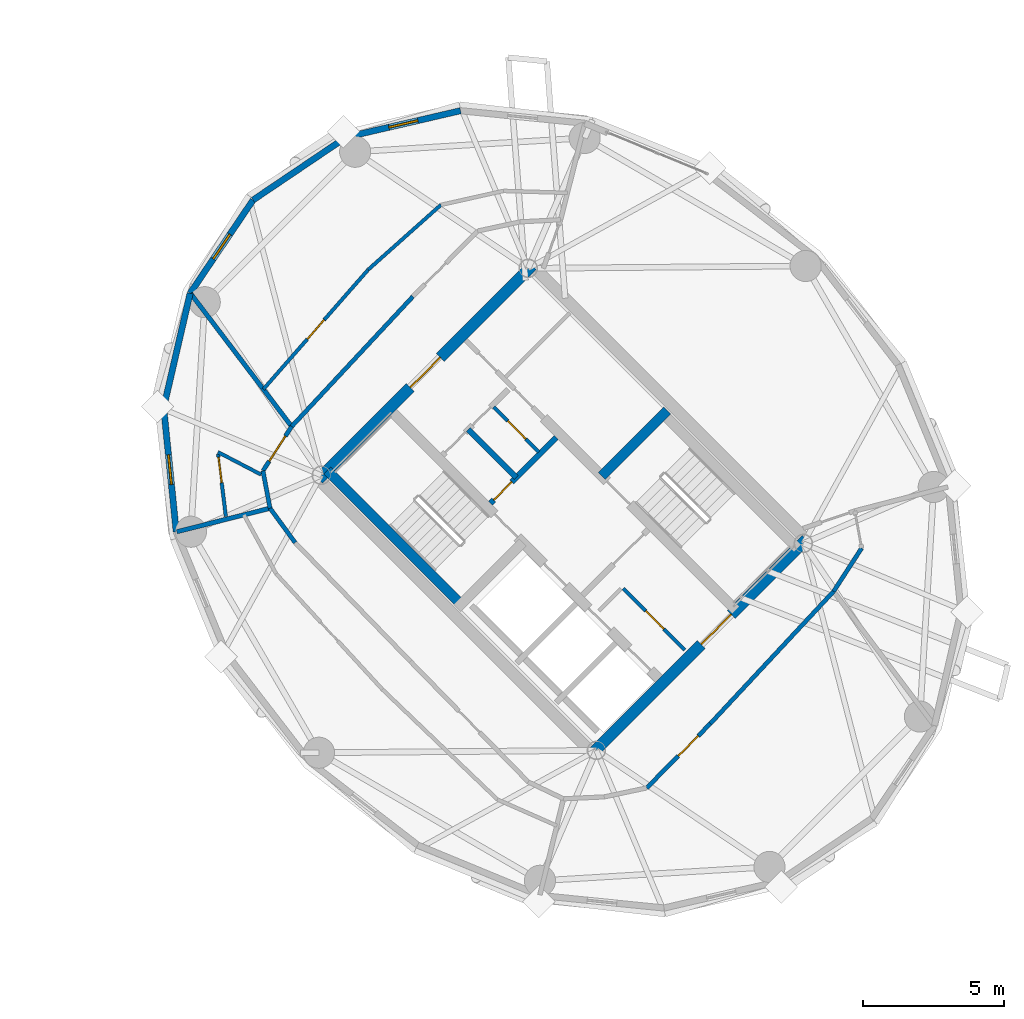
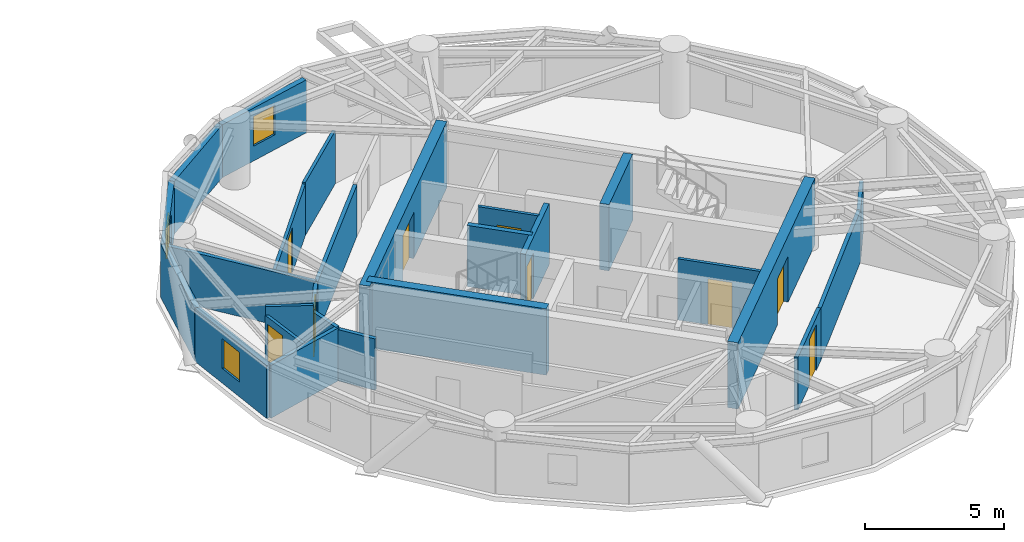
# One storey, part 12 of 16: 26 walls, 9 doors, 3 windows, 12 openings.
"""IFC4 building model written with IfcOpenShell, lengths in metres."""

from ifc_helpers import new_model, si_unit, direction, frame, frame_2d, origin, place, context, subcontext, project, spatial, rectangle, extrude, source, transform, mapped, material, layer, layer_set, type_object, element, fill, save


model = new_model("IFC4")

# Units and contexts
model_context = context("Model", 3, precision=1e-05, world=origin(), true_north=direction((0.0, 1.0)))
body_context = subcontext(model_context, "Body", "Model", "MODEL_VIEW")
ifc_project = project(units=[si_unit("LENGTHUNIT", "METRE"), si_unit("AREAUNIT", "SQUARE_METRE"), si_unit("VOLUMEUNIT", "CUBIC_METRE"), si_unit("PLANEANGLEUNIT", "RADIAN"), si_unit("MASSUNIT", "GRAM", prefix="KILO")], contexts=[model_context])

# Site, building, storey
site_placement = place(None, origin())
site = spatial("IfcSite", under=ifc_project, at=site_placement, CompositionType="ELEMENT")
building_placement = place(site_placement, origin())
building = spatial("IfcBuilding", under=site, at=building_placement, Name="Cununo Teusaquillo Station Towers", CompositionType="ELEMENT")
storey_placement = place(building_placement, frame((0.0, 0.0, 219.93994140625)))
storey = spatial("IfcBuildingStorey", under=building, at=storey_placement, Name="L70", CompositionType="ELEMENT", Elevation=219.93994140625)

# Walls
ifc_material_1 = material(Name="Concrete C50/60", Category="concrete")
ifc_layer_1 = layer(ifc_material_1, 0.35009765625)
ifc_layer_set_1 = layer_set([ifc_layer_1], Name="Concrete C50/60")
wall_type_1 = type_object("IfcWallType", Name="WL-CORE-350", PredefinedType="SHEAR", material=ifc_layer_set_1)
wall_1_placement = place(storey_placement, frame((53.922119140625, 21.14111328125, 0.0), z_axis=(0.0, 0.0, 1.0), x_axis=(-0.707106781187, 0.707106781187, 0.0)))
element("IfcWall", 1, at=wall_1_placement, inside=storey, type_object=wall_type_1, Name="L70 Tower B Core Shear Wall ST1W", PredefinedType="SHEAR", context=body_context, shape_type="SweptSolid", body=[
    extrude(rectangle(XDim=6.695068359375, YDim=0.35009765625, at=frame_2d((3.34765625, 0.0))), origin(), (0.0, 0.0, 1.0), 2.91015625),
])
wall_2_placement = place(storey_placement, frame((58.89306640625, 25.673828125, 0.0), z_axis=(0.0, 0.0, 1.0), x_axis=(0.707106781187, 0.707106781187, 0.0)))
element("IfcWall", 2, at=wall_2_placement, inside=storey, type_object=wall_type_1, Name="L70 Tower B Core Shear Wall ST2N", PredefinedType="SHEAR", context=body_context, shape_type="SweptSolid", body=[
    extrude(rectangle(XDim=3.284912109375, YDim=0.35009765625, at=frame_2d((1.642578125, 0.0))), origin(), (0.0, 0.0, 1.0), 2.91015625),
])

# Wall, opening, door
ifc_material_2 = material(Name="Concrete C50/60", Category="concrete")
ifc_layer_2 = layer(ifc_material_2, 0.39990234375)
ifc_layer_set_2 = layer_set([ifc_layer_2], Name="Concrete C50/60")
wall_type_2 = type_object("IfcWallType", Name="WL-CORE-400", PredefinedType="SHEAR", material=ifc_layer_set_2)
wall_3_placement = place(storey_placement, frame((58.560791015625, 15.873291015625, 0.0), z_axis=(0.0, 0.0, 1.0), x_axis=(0.707106781187, 0.707106781187, 0.0)))
wall_3 = element("IfcWall", 3, at=wall_3_placement, inside=storey, type_object=wall_type_2, Name="L70 Tower B Core Shear Wall S", PredefinedType="SHEAR", context=body_context, shape_type="SweptSolid", body=[
    extrude(rectangle(XDim=10.69970703125, YDim=0.39990234375, at=frame_2d((5.349853515625, 0.0))), origin(), (0.0, 0.0, 1.0), 2.91015625),
])
shared_shape_1 = source(origin(), body_context, "Body", "SweptSolid", [
    extrude(rectangle(XDim=1.5, YDim=2.02001953125, at=frame_2d((0.75, 1.010009765625))), frame((0.0, 0.2099609375, 0.0), z_axis=(0.0, -1.0, 0.0), x_axis=(1.0, 0.0, 0.0)), (0.0, 0.0, 1.0), 0.419921875),
])
opening_1_placement = place(wall_3_placement, frame((5.449951171875, 0.0, 0.0)))
opening_1 = element("IfcOpeningElement", 4, at=opening_1_placement, cuts=wall_3, Name="Opening D-LB1", PredefinedType="OPENING", context=body_context, shape_type="MappedRepresentation", body=[
    mapped(shared_shape_1, transform((0.0, 0.0, 0.0), x_axis=(1.0, 0.0, 0.0), y_axis=(0.0, 1.0, 0.0), z_axis=(0.0, 0.0, 1.0), scale=1.0)),
])
ifc_material_3 = material(Name="Galvanised fire-rated hollow steel door assembly", Category="steel")
door_type_1 = type_object("IfcDoorType", Name="DR-LOBBY-1500", OperationType="DOUBLE_DOOR_SINGLE_SWING", PredefinedType="DOOR", material=ifc_material_3)
shared_shape_2 = source(origin(), body_context, "Body", "SweptSolid", [
    extrude(rectangle(XDim=1.5, YDim=2.02001953125, at=frame_2d((0.75, 1.010009765625))), frame((0.0, 0.02490234375, 0.0), z_axis=(0.0, -1.0, 0.0), x_axis=(1.0, 0.0, 0.0)), (0.0, 0.0, 1.0), 0.050048828125),
])
door_1_placement = place(opening_1_placement, origin())
door_1 = element("IfcDoor", 5, at=door_1_placement, inside=storey, type_object=door_type_1, Name="L70 Tower B South Core Lift Lobby Door", OperationType="DOUBLE_DOOR_SINGLE_SWING", OverallHeight=2.02001953125, OverallWidth=1.5, PredefinedType="DOOR", context=body_context, shape_type="MappedRepresentation", body=[
    mapped(shared_shape_2, transform((0.0, 0.0, 0.0), x_axis=(1.0, 0.0, 0.0), y_axis=(0.0, 1.0, 0.0), z_axis=(0.0, 0.0, 1.0), scale=1.0)),
])
fill(opening_1, door_1)

wall_4_placement = place(storey_placement, frame((48.873291015625, 25.560791015625, 0.0), z_axis=(0.0, 0.0, 1.0), x_axis=(0.707106781187, 0.707106781187, 0.0)))
wall_4 = element("IfcWall", 6, at=wall_4_placement, inside=storey, type_object=wall_type_2, Name="L70 Tower B Core Shear Wall N", PredefinedType="SHEAR", context=body_context, shape_type="SweptSolid", body=[
    extrude(rectangle(XDim=10.69970703125, YDim=0.39990234375, at=frame_2d((5.349853515625, 0.0))), origin(), (0.0, 0.0, 1.0), 2.91015625),
])
opening_2_placement = place(wall_4_placement, frame((4.60009765625, 0.0, 0.0)))
opening_2 = element("IfcOpeningElement", 7, at=opening_2_placement, cuts=wall_4, Name="Opening D-LB1", PredefinedType="OPENING", context=body_context, shape_type="MappedRepresentation", body=[
    mapped(shared_shape_1, transform((0.0, 0.0, 0.0), x_axis=(1.0, 0.0, 0.0), y_axis=(0.0, 1.0, 0.0), z_axis=(0.0, 0.0, 1.0), scale=1.0)),
])
door_2_placement = place(opening_2_placement, origin())
door_2 = element("IfcDoor", 8, at=door_2_placement, inside=storey, type_object=door_type_1, Name="L70 Tower B North Core Lift Lobby Door", OperationType="DOUBLE_DOOR_SINGLE_SWING", OverallHeight=2.02001953125, OverallWidth=1.5, PredefinedType="DOOR", context=body_context, shape_type="MappedRepresentation", body=[
    mapped(shared_shape_2, transform((0.0, 0.0, 0.0), x_axis=(1.0, 0.0, 0.0), y_axis=(0.0, 1.0, 0.0), z_axis=(0.0, 0.0, 1.0), scale=1.0)),
])
fill(opening_2, door_2)

# Wall, opening, window
ifc_material_4 = material(Name="Precast concrete C40/50", Category="concrete")
ifc_layer_3 = layer(ifc_material_4, 0.219970703125)
ifc_layer_set_3 = layer_set([ifc_layer_3], Name="Precast concrete C40/50")
wall_type_3 = type_object("IfcWallType", Name="WL-EXT-220", PredefinedType="SOLIDWALL", material=ifc_layer_set_3)
wall_5_placement = place(storey_placement, frame((49.856201171875, 37.663330078125, 0.0), z_axis=(0.0, 0.0, 1.0), x_axis=(0.974249228678, 0.225473813158, 0.0)))
wall_5 = element("IfcWall", 9, at=wall_5_placement, inside=storey, type_object=wall_type_3, Name="L70 Tower B Exterior Facade Wall C03", PredefinedType="SOLIDWALL", context=body_context, shape_type="SweptSolid", body=[
    extrude(rectangle(XDim=4.150390625, YDim=0.219970703125, at=frame_2d((2.0751953125, 0.0))), origin(), (0.0, 0.0, 1.0), 2.322021484375),
])
shared_shape_3 = source(origin(), body_context, "Body", "SweptSolid", [
    extrude(rectangle(XDim=1.050048828125, YDim=1.300048828125, at=frame_2d((0.52490234375, 0.64990234375))), frame((0.0, 0.119873046875, 0.0), z_axis=(0.0, -1.0, 0.0), x_axis=(1.0, 0.0, 0.0)), (0.0, 0.0, 1.0), 0.239990234375),
])
opening_3_placement = place(wall_5_placement, frame((1.550048828125, 0.0, 0.64990234375)))
opening_3 = element("IfcOpeningElement", 10, at=opening_3_placement, cuts=wall_5, Name="Opening WN-04", PredefinedType="OPENING", context=body_context, shape_type="MappedRepresentation", body=[
    mapped(shared_shape_3, transform((0.0, 0.0, 0.0), x_axis=(1.0, 0.0, 0.0), y_axis=(0.0, 1.0, 0.0), z_axis=(0.0, 0.0, 1.0), scale=1.0)),
])
ifc_material_5 = material(Name="Operable acoustic tinted low-E double glazing", Category="glass")
window_type = type_object("IfcWindowType", Name="WIN-BAL-1050", PartitioningType="SINGLE_PANEL", PredefinedType="WINDOW", material=ifc_material_5)
shared_shape_4 = source(origin(), body_context, "Body", "SweptSolid", [
    extrude(rectangle(XDim=1.050048828125, YDim=1.300048828125, at=frame_2d((0.52490234375, 0.64990234375))), frame((0.0, 0.030029296875, 0.0), z_axis=(0.0, -1.0, 0.0), x_axis=(1.0, 0.0, 0.0)), (0.0, 0.0, 1.0), 0.06005859375),
])
window_1_placement = place(opening_3_placement, origin())
window_1 = element("IfcWindow", 11, at=window_1_placement, inside=storey, type_object=window_type, Name="L70 Tower B Facade Window C03", OverallHeight=1.300048828125, OverallWidth=1.050048828125, PartitioningType="SINGLE_PANEL", PredefinedType="WINDOW", context=body_context, shape_type="MappedRepresentation", body=[
    mapped(shared_shape_4, transform((0.0, 0.0, 0.0), x_axis=(1.0, 0.0, 0.0), y_axis=(0.0, 1.0, 0.0), z_axis=(0.0, 0.0, 1.0), scale=1.0)),
])
fill(opening_3, window_1)

# Wall
wall_6_placement = place(storey_placement, frame((46.56103515625, 35.43896484375, 0.0), z_axis=(0.0, 0.0, 1.0), x_axis=(0.828833723692, 0.559495003079, 0.0)))
element("IfcWall", 12, at=wall_6_placement, inside=storey, type_object=wall_type_3, Name="L70 Tower B Exterior Facade Wall C04", PredefinedType="SOLIDWALL", context=body_context, shape_type="SweptSolid", body=[
    extrude(rectangle(XDim=3.9755859375, YDim=0.219970703125, at=frame_2d((1.98779296875, 0.0))), origin(), (0.0, 0.0, 1.0), 2.322021484375),
])

# Wall, opening, window
wall_7_placement = place(storey_placement, frame((44.336669921875, 32.143798828125, 0.0), z_axis=(0.0, 0.0, 1.0), x_axis=(0.559495003079, 0.828833723692, 0.0)))
wall_7 = element("IfcWall", 13, at=wall_7_placement, inside=storey, type_object=wall_type_3, Name="L70 Tower B Exterior Facade Wall C05", PredefinedType="SOLIDWALL", context=body_context, shape_type="SweptSolid", body=[
    extrude(rectangle(XDim=3.9755859375, YDim=0.219970703125, at=frame_2d((1.98779296875, 0.0))), origin(), (0.0, 0.0, 1.0), 2.322021484375),
])
opening_4_placement = place(wall_7_placement, frame((1.462890625, 0.0, 0.64990234375)))
opening_4 = element("IfcOpeningElement", 14, at=opening_4_placement, cuts=wall_7, Name="Opening WN-04", PredefinedType="OPENING", context=body_context, shape_type="MappedRepresentation", body=[
    mapped(shared_shape_3, transform((0.0, 0.0, 0.0), x_axis=(1.0, 0.0, 0.0), y_axis=(0.0, 1.0, 0.0), z_axis=(0.0, 0.0, 1.0), scale=1.0)),
])
window_2_placement = place(opening_4_placement, origin())
window_2 = element("IfcWindow", 15, at=window_2_placement, inside=storey, type_object=window_type, Name="L70 Tower B Facade Window C05", OverallHeight=1.300048828125, OverallWidth=1.050048828125, PartitioningType="SINGLE_PANEL", PredefinedType="WINDOW", context=body_context, shape_type="MappedRepresentation", body=[
    mapped(shared_shape_4, transform((0.0, 0.0, 0.0), x_axis=(1.0, 0.0, 0.0), y_axis=(0.0, 1.0, 0.0), z_axis=(0.0, 0.0, 1.0), scale=1.0)),
])
fill(opening_4, window_2)

# Wall
wall_8_placement = place(storey_placement, frame((43.40087890625, 28.100341796875, 0.0), z_axis=(0.0, 0.0, 1.0), x_axis=(0.225473813158, 0.974249228678, 0.0)))
element("IfcWall", 16, at=wall_8_placement, inside=storey, type_object=wall_type_3, Name="L70 Tower B Exterior Facade Wall C06", PredefinedType="SOLIDWALL", context=body_context, shape_type="SweptSolid", body=[
    extrude(rectangle(XDim=4.150390625, YDim=0.219970703125, at=frame_2d((2.0751953125, 0.0))), origin(), (0.0, 0.0, 1.0), 2.322021484375),
])

# Wall, opening, window
wall_9_placement = place(storey_placement, frame((43.84521484375, 23.70458984375, 0.0), z_axis=(0.0, 0.0, 1.0), x_axis=(-0.100570534541, 0.994929930991, 0.0)))
wall_9 = element("IfcWall", 17, at=wall_9_placement, inside=storey, type_object=wall_type_3, Name="L70 Tower B Exterior Facade Wall C07", PredefinedType="SOLIDWALL", context=body_context, shape_type="SweptSolid", body=[
    extrude(rectangle(XDim=4.418212890625, YDim=0.219970703125, at=frame_2d((2.208984375, 0.0))), origin(), (0.0, 0.0, 1.0), 2.322021484375),
])
opening_5_placement = place(wall_9_placement, frame((1.68408203125, 0.0, 0.64990234375)))
opening_5 = element("IfcOpeningElement", 18, at=opening_5_placement, cuts=wall_9, Name="Opening WN-04", PredefinedType="OPENING", context=body_context, shape_type="MappedRepresentation", body=[
    mapped(shared_shape_3, transform((0.0, 0.0, 0.0), x_axis=(1.0, 0.0, 0.0), y_axis=(0.0, 1.0, 0.0), z_axis=(0.0, 0.0, 1.0), scale=1.0)),
])
window_3_placement = place(opening_5_placement, origin())
window_3 = element("IfcWindow", 19, at=window_3_placement, inside=storey, type_object=window_type, Name="L70 Tower B Facade Window C07", OverallHeight=1.300048828125, OverallWidth=1.050048828125, PartitioningType="SINGLE_PANEL", PredefinedType="WINDOW", context=body_context, shape_type="MappedRepresentation", body=[
    mapped(shared_shape_4, transform((0.0, 0.0, 0.0), x_axis=(1.0, 0.0, 0.0), y_axis=(0.0, 1.0, 0.0), z_axis=(0.0, 0.0, 1.0), scale=1.0)),
])
fill(opening_5, window_3)

# Wall, opening, door
ifc_material_6 = material(Name="Fire-rated gypsum plasterboard partition assembly", Category="gypsum")
ifc_layer_4 = layer(ifc_material_6, 0.125)
ifc_layer_set_4 = layer_set([ifc_layer_4], Name="Fire-rated gypsum plasterboard partition assembly")
wall_type_4 = type_object("IfcWallType", Name="WL-PART-125", PredefinedType="PARTITIONING", material=ifc_layer_set_4)
wall_10_placement = place(storey_placement, frame((61.834716796875, 19.529052734375, 0.0), z_axis=(0.0, 0.0, 1.0), x_axis=(-0.707146413884, 0.707067146267, 0.0)))
wall_10 = element("IfcWall", 20, at=wall_10_placement, inside=storey, type_object=wall_type_4, Name="L70 Tower B South-West Tall Store East Wall", PredefinedType="PARTITIONING", context=body_context, shape_type="SweptSolid", body=[
    extrude(rectangle(XDim=3.079833984375, YDim=0.125, at=frame_2d((1.5400390625, 0.0))), origin(), (0.0, 0.0, 1.0), 2.68505859375),
])
shared_shape_5 = source(origin(), body_context, "Body", "SweptSolid", [
    extrude(rectangle(XDim=0.89990234375, YDim=2.0048828125, at=frame_2d((0.449951171875, 1.00244140625))), frame((0.0, 0.072509765625, 0.0), z_axis=(0.0, -1.0, 0.0), x_axis=(1.0, 0.0, 0.0)), (0.0, 0.0, 1.0), 0.14501953125),
])
opening_6_placement = place(wall_10_placement, frame((1.050048828125, 0.0, 0.0)))
opening_6 = element("IfcOpeningElement", 21, at=opening_6_placement, cuts=wall_10, Name="Opening D-SR1", PredefinedType="OPENING", context=body_context, shape_type="MappedRepresentation", body=[
    mapped(shared_shape_5, transform((0.0, 0.0, 0.0), x_axis=(1.0, 0.0, 0.0), y_axis=(0.0, 1.0, 0.0), z_axis=(0.0, 0.0, 1.0), scale=1.0)),
])
ifc_material_7 = material(Name="Galvanised fire-rated hollow steel door assembly", Category="steel")
door_type_2 = type_object("IfcDoorType", Name="DR-STORE-900", OperationType="NOTDEFINED", PredefinedType="DOOR", material=ifc_material_7)
shared_shape_6 = source(origin(), body_context, "Body", "SweptSolid", [
    extrude(rectangle(XDim=0.89990234375, YDim=2.0048828125, at=frame_2d((0.449951171875, 1.00244140625))), frame((0.0, 0.02490234375, 0.0), z_axis=(0.0, -1.0, 0.0), x_axis=(1.0, 0.0, 0.0)), (0.0, 0.0, 1.0), 0.050048828125),
])
door_3_placement = place(opening_6_placement, origin())
door_3 = element("IfcDoor", 22, at=door_3_placement, inside=storey, type_object=door_type_2, Name="L70 Tower B South Cleaners Store Door", OperationType="SINGLE_SWING_LEFT", OverallHeight=2.0048828125, OverallWidth=0.89990234375, PredefinedType="DOOR", context=body_context, shape_type="MappedRepresentation", body=[
    mapped(shared_shape_6, transform((0.0, 0.0, 0.0), x_axis=(1.0, 0.0, 0.0), y_axis=(0.0, 1.0, 0.0), z_axis=(0.0, 0.0, 1.0), scale=1.0)),
])
fill(opening_6, door_3)

wall_11_placement = place(storey_placement, frame((56.672607421875, 26.529296875, 0.0), z_axis=(0.0, 0.0, 1.0), x_axis=(-0.707052764397, 0.70716079385, 0.0)))
wall_11 = element("IfcWall", 23, at=wall_11_placement, inside=storey, type_object=wall_type_4, Name="L70 Tower B Core Vertical Split Wall", PredefinedType="PARTITIONING", context=body_context, shape_type="SweptSolid", body=[
    extrude(rectangle(XDim=2.260009765625, YDim=0.125, at=frame_2d((1.1298828125, 0.0))), origin(), (0.0, 0.0, 1.0), 2.68505859375),
])
opening_7_placement = place(wall_11_placement, frame((0.64990234375, 0.0, 0.0)))
opening_7 = element("IfcOpeningElement", 24, at=opening_7_placement, cuts=wall_11, Name="Opening D-SR1", PredefinedType="OPENING", context=body_context, shape_type="MappedRepresentation", body=[
    mapped(shared_shape_5, transform((0.0, 0.0, 0.0), x_axis=(1.0, 0.0, 0.0), y_axis=(0.0, 1.0, 0.0), z_axis=(0.0, 0.0, 1.0), scale=1.0)),
])
door_4_placement = place(opening_7_placement, origin())
door_4 = element("IfcDoor", 25, at=door_4_placement, inside=storey, type_object=door_type_2, Name="L70 Tower B Core Electrical Room Door", OperationType="SINGLE_SWING_LEFT", OverallHeight=2.0048828125, OverallWidth=0.89990234375, PredefinedType="DOOR", context=body_context, shape_type="MappedRepresentation", body=[
    mapped(shared_shape_6, transform((0.0, 0.0, 0.0), x_axis=(1.0, 0.0, 0.0), y_axis=(0.0, 1.0, 0.0), z_axis=(0.0, 0.0, 1.0), scale=1.0)),
])
fill(opening_7, door_4)

# Wall
wall_12_placement = place(storey_placement, frame((53.206298828125, 35.268310546875, 0.0), z_axis=(0.0, 0.0, 1.0), x_axis=(-0.746677760999, -0.665185929819, 0.0)))
element("IfcWall", 26, at=wall_12_placement, inside=storey, type_object=wall_type_4, Name="L70 Tower B Summit Champagne & Dining Salon Concentric Partition Wall C04", PredefinedType="PARTITIONING", context=body_context, shape_type="SweptSolid", body=[
    extrude(rectangle(XDim=3.4453125, YDim=0.125, at=frame_2d((1.72265625, 0.0))), origin(), (0.0, 0.0, 1.0), 2.322021484375),
])

# Wall, opening, door
wall_13_placement = place(storey_placement, frame((50.6337890625, 32.9765625, 0.0), z_axis=(0.0, 0.0, 1.0), x_axis=(-0.659241945747, -0.751930885765, 0.0)))
wall_13 = element("IfcWall", 27, at=wall_13_placement, inside=storey, type_object=wall_type_4, Name="L70 Tower B Summit Champagne & Dining Salon Concentric Partition Wall C05", PredefinedType="PARTITIONING", context=body_context, shape_type="SweptSolid", body=[
    extrude(rectangle(XDim=5.62353515625, YDim=0.125, at=frame_2d((2.811767578125, 0.0))), origin(), (0.0, 0.0, 1.0), 2.255126953125),
])
opening_8_placement = place(wall_13_placement, frame((2.36181640625, 0.0, 0.0)))
opening_8 = element("IfcOpeningElement", 28, at=opening_8_placement, cuts=wall_13, Name="Opening D-IN1", PredefinedType="OPENING", context=body_context, shape_type="MappedRepresentation", body=[
    mapped(shared_shape_5, transform((0.0, 0.0, 0.0), x_axis=(1.0, 0.0, 0.0), y_axis=(0.0, 1.0, 0.0), z_axis=(0.0, 0.0, 1.0), scale=1.0)),
])
ifc_material_8 = material(Name="Acoustic solid-core hardwood leaf assembly", Category="wood")
door_type_3 = type_object("IfcDoorType", Name="DR-INT-900", OperationType="NOTDEFINED", PredefinedType="DOOR", material=ifc_material_8)
door_5_placement = place(opening_8_placement, origin())
door_5 = element("IfcDoor", 29, at=door_5_placement, inside=storey, type_object=door_type_3, Name="L70 Tower B Summit Champagne & Dining Salon Connecting Door", OperationType="SINGLE_SWING_LEFT", OverallHeight=2.0048828125, OverallWidth=0.89990234375, PredefinedType="DOOR", context=body_context, shape_type="MappedRepresentation", body=[
    mapped(shared_shape_6, transform((0.0, 0.0, 0.0), x_axis=(1.0, 0.0, 0.0), y_axis=(0.0, 1.0, 0.0), z_axis=(0.0, 0.0, 1.0), scale=1.0)),
])
fill(opening_8, door_5)

# Wall
wall_14_placement = place(storey_placement, frame((46.843505859375, 25.7314453125, 0.0), z_axis=(0.0, 0.0, 1.0), x_axis=(-0.886802533251, 0.462148533504, 0.0)))
element("IfcWall", 30, at=wall_14_placement, inside=storey, type_object=wall_type_4, Name="L70 Tower B S02 En-suite Side Wall", PredefinedType="PARTITIONING", context=body_context, shape_type="SweptSolid", body=[
    extrude(rectangle(XDim=1.718994140625, YDim=0.125, at=frame_2d((0.859375, 0.0))), origin(), (0.0, 0.0, 1.0), 2.68505859375),
])

# Wall, opening, door
wall_15_placement = place(storey_placement, frame((45.32763671875, 26.456787109375, 0.0), z_axis=(0.0, 0.0, 1.0), x_axis=(0.122605181354, -0.992455525203, 0.0)))
wall_15 = element("IfcWall", 31, at=wall_15_placement, inside=storey, type_object=wall_type_4, Name="L70 Tower B S02 En-suite Back Wall", PredefinedType="PARTITIONING", context=body_context, shape_type="SweptSolid", body=[
    extrude(rectangle(XDim=2.228271484375, YDim=0.125, at=frame_2d((1.1142578125, 0.0))), origin(), (0.0, 0.0, 1.0), 2.322021484375),
])
opening_9_placement = place(wall_15_placement, frame((0.1201171875, 0.0, 0.0)))
opening_9 = element("IfcOpeningElement", 32, at=opening_9_placement, cuts=wall_15, Name="Opening D-IN1", PredefinedType="OPENING", context=body_context, shape_type="MappedRepresentation", body=[
    mapped(shared_shape_5, transform((0.0, 0.0, 0.0), x_axis=(1.0, 0.0, 0.0), y_axis=(0.0, 1.0, 0.0), z_axis=(0.0, 0.0, 1.0), scale=1.0)),
])
door_6_placement = place(opening_9_placement, origin())
door_6 = element("IfcDoor", 33, at=door_6_placement, inside=storey, type_object=door_type_3, Name="L70 Tower B S02 En-suite Bathroom Door", OperationType="SINGLE_SWING_LEFT", OverallHeight=2.0048828125, OverallWidth=0.89990234375, PredefinedType="DOOR", context=body_context, shape_type="MappedRepresentation", body=[
    mapped(shared_shape_6, transform((0.0, 0.0, 0.0), x_axis=(1.0, 0.0, 0.0), y_axis=(0.0, 1.0, 0.0), z_axis=(0.0, 0.0, 1.0), scale=1.0)),
])
fill(opening_9, door_6)

# Wall
ifc_material_9 = material(Name="Fire-rated gypsum plasterboard partition assembly", Category="gypsum")
ifc_layer_5 = layer(ifc_material_9, 0.14990234375)
ifc_layer_set_5 = layer_set([ifc_layer_5], Name="Fire-rated gypsum plasterboard partition assembly")
wall_type_5 = type_object("IfcWallType", Name="WL-PART-150", PredefinedType="PARTITIONING", material=ifc_layer_set_5)
wall_16_placement = place(storey_placement, frame((52.21240234375, 32.0244140625, 0.0), z_axis=(0.0, 0.0, 1.0), x_axis=(-0.682158998173, -0.731203871169, 0.0)))
element("IfcWall", 34, at=wall_16_placement, inside=storey, type_object=wall_type_5, Name="L70 Tower B Corridor Ring Wall C05", PredefinedType="PARTITIONING", context=body_context, shape_type="SweptSolid", body=[
    extrude(rectangle(XDim=6.2822265625, YDim=0.14990234375, at=frame_2d((3.14111328125, 0.0))), origin(), (0.0, 0.0, 1.0), 2.255126953125),
])

# Wall, opening, door
wall_17_placement = place(storey_placement, frame((47.927001953125, 27.430908203125, 0.0), z_axis=(0.0, 0.0, 1.0), x_axis=(-0.543126643356, -0.839650790077, 0.0)))
wall_17 = element("IfcWall", 35, at=wall_17_placement, inside=storey, type_object=wall_type_5, Name="L70 Tower B Corridor Ring Wall C06", PredefinedType="PARTITIONING", context=body_context, shape_type="SweptSolid", body=[
    extrude(rectangle(XDim=1.8681640625, YDim=0.14990234375, at=frame_2d((0.93408203125, 0.0))), origin(), (0.0, 0.0, 1.0), 2.255126953125),
])
shared_shape_7 = source(origin(), body_context, "Body", "SweptSolid", [
    extrude(rectangle(XDim=1.050048828125, YDim=2.014892578125, at=frame_2d((0.52490234375, 1.00732421875))), frame((0.0, 0.0849609375, 0.0), z_axis=(0.0, -1.0, 0.0), x_axis=(1.0, 0.0, 0.0)), (0.0, 0.0, 1.0), 0.169921875),
])
opening_10_placement = place(wall_17_placement, frame((0.4091796875, 0.0, 0.0)))
opening_10 = element("IfcOpeningElement", 36, at=opening_10_placement, cuts=wall_17, Name="Opening D-SU1", PredefinedType="OPENING", context=body_context, shape_type="MappedRepresentation", body=[
    mapped(shared_shape_7, transform((0.0, 0.0, 0.0), x_axis=(1.0, 0.0, 0.0), y_axis=(0.0, 1.0, 0.0), z_axis=(0.0, 0.0, 1.0), scale=1.0)),
])
ifc_material_10 = material(Name="Acoustic solid-core hardwood leaf assembly", Category="wood")
door_type_4 = type_object("IfcDoorType", Name="DR-SUITE-1050", OperationType="NOTDEFINED", PredefinedType="DOOR", material=ifc_material_10)
shared_shape_8 = source(origin(), body_context, "Body", "SweptSolid", [
    extrude(rectangle(XDim=1.050048828125, YDim=2.014892578125, at=frame_2d((0.52490234375, 1.00732421875))), frame((0.0, 0.02490234375, 0.0), z_axis=(0.0, -1.0, 0.0), x_axis=(1.0, 0.0, 0.0)), (0.0, 0.0, 1.0), 0.050048828125),
])
door_7_placement = place(opening_10_placement, origin())
door_7 = element("IfcDoor", 37, at=door_7_placement, inside=storey, type_object=door_type_4, Name="L70 Tower B Crown Horizon Hotel Suite Entrance Door", OperationType="SINGLE_SWING_RIGHT", OverallHeight=2.014892578125, OverallWidth=1.050048828125, PredefinedType="DOOR", context=body_context, shape_type="MappedRepresentation", body=[
    mapped(shared_shape_8, transform((0.0, 0.0, 0.0), x_axis=(1.0, 0.0, 0.0), y_axis=(0.0, 1.0, 0.0), z_axis=(0.0, 0.0, 1.0), scale=1.0)),
])
fill(opening_10, door_7)

# Walls
wall_18_placement = place(storey_placement, frame((46.912353515625, 25.8623046875, 0.0), z_axis=(0.0, 0.0, 1.0), x_axis=(0.186095172215, -0.98253172309, 0.0)))
element("IfcWall", 38, at=wall_18_placement, inside=storey, type_object=wall_type_5, Name="L70 Tower B Corridor Ring Wall C07", PredefinedType="PARTITIONING", context=body_context, shape_type="SweptSolid", body=[
    extrude(rectangle(XDim=1.345947265625, YDim=0.14990234375, at=frame_2d((0.6728515625, 0.0))), origin(), (0.0, 0.0, 1.0), 2.322021484375),
])
wall_19_placement = place(storey_placement, frame((47.162841796875, 24.539794921875, 0.0), z_axis=(0.0, 0.0, 1.0), x_axis=(0.589711902124, -0.807613690135, 0.0)))
element("IfcWall", 39, at=wall_19_placement, inside=storey, type_object=wall_type_5, Name="L70 Tower B Corridor Ring Wall C08", PredefinedType="PARTITIONING", context=body_context, shape_type="SweptSolid", body=[
    extrude(rectangle(XDim=1.507080078125, YDim=0.14990234375, at=frame_2d((0.75341796875, 0.0))), origin(), (0.0, 0.0, 1.0), 2.255126953125),
])

# Wall, opening, door
wall_20_placement = place(storey_placement, frame((60.48388671875, 14.6484375, 0.0), z_axis=(0.0, 0.0, 1.0), x_axis=(0.703398221944, 0.710795991383, 0.0)))
wall_20 = element("IfcWall", 40, at=wall_20_placement, inside=storey, type_object=wall_type_5, Name="L70 Tower B Corridor Ring Wall C14", PredefinedType="PARTITIONING", context=body_context, shape_type="SweptSolid", body=[
    extrude(rectangle(XDim=3.201171875, YDim=0.14990234375, at=frame_2d((1.6005859375, 0.0))), origin(), (0.0, 0.0, 1.0), 2.322021484375),
])
shared_shape_9 = source(origin(), body_context, "Body", "SweptSolid", [
    extrude(rectangle(XDim=1.0, YDim=2.014892578125, at=frame_2d((0.5, 1.00732421875))), frame((0.0, 0.0849609375, 0.0), z_axis=(0.0, -1.0, 0.0), x_axis=(1.0, 0.0, 0.0)), (0.0, 0.0, 1.0), 0.169921875),
])
opening_11_placement = place(wall_20_placement, frame((1.591064453125, 0.0, 0.0)))
opening_11 = element("IfcOpeningElement", 41, at=opening_11_placement, cuts=wall_20, Name="Opening D-AC1", PredefinedType="OPENING", context=body_context, shape_type="MappedRepresentation", body=[
    mapped(shared_shape_9, transform((0.0, 0.0, 0.0), x_axis=(1.0, 0.0, 0.0), y_axis=(0.0, 1.0, 0.0), z_axis=(0.0, 0.0, 1.0), scale=1.0)),
])
ifc_material_11 = material(Name="Acoustic solid-core hardwood leaf assembly", Category="wood")
door_type_5 = type_object("IfcDoorType", Name="DR-ACC-1000", OperationType="NOTDEFINED", PredefinedType="DOOR", material=ifc_material_11)
shared_shape_10 = source(origin(), body_context, "Body", "SweptSolid", [
    extrude(rectangle(XDim=1.0, YDim=2.014892578125, at=frame_2d((0.5, 1.00732421875))), frame((0.0, 0.02490234375, 0.0), z_axis=(0.0, -1.0, 0.0), x_axis=(1.0, 0.0, 0.0)), (0.0, 0.0, 1.0), 0.050048828125),
])
door_8_placement = place(opening_11_placement, origin())
door_8 = element("IfcDoor", 42, at=door_8_placement, inside=storey, type_object=door_type_5, Name="L70 Tower B Public Accessible Restroom WC Entrance Door", OperationType="SINGLE_SWING_RIGHT", OverallHeight=2.014892578125, OverallWidth=1.0, PredefinedType="DOOR", context=body_context, shape_type="MappedRepresentation", body=[
    mapped(shared_shape_10, transform((0.0, 0.0, 0.0), x_axis=(1.0, 0.0, 0.0), y_axis=(0.0, 1.0, 0.0), z_axis=(0.0, 0.0, 1.0), scale=1.0)),
])
fill(opening_11, door_8)

# Walls
wall_21_placement = place(storey_placement, frame((62.735595703125, 16.923828125, 0.0), z_axis=(0.0, 0.0, 1.0), x_axis=(0.681946700833, 0.731401871219, 0.0)))
element("IfcWall", 43, at=wall_21_placement, inside=storey, type_object=wall_type_5, Name="L70 Tower B Corridor Ring Wall C15", PredefinedType="PARTITIONING", context=body_context, shape_type="SweptSolid", body=[
    extrude(rectangle(XDim=6.392822265625, YDim=0.14990234375, at=frame_2d((3.1962890625, 0.0))), origin(), (0.0, 0.0, 1.0), 2.255126953125),
])
wall_22_placement = place(storey_placement, frame((67.09521484375, 21.599609375, 0.0), z_axis=(0.0, 0.0, 1.0), x_axis=(0.543773190184, 0.839232219137, 0.0)))
element("IfcWall", 44, at=wall_22_placement, inside=storey, type_object=wall_type_5, Name="L70 Tower B Corridor Ring Wall C16", PredefinedType="PARTITIONING", context=body_context, shape_type="SweptSolid", body=[
    extrude(rectangle(XDim=1.82275390625, YDim=0.14990234375, at=frame_2d((0.911376953125, 0.0))), origin(), (0.0, 0.0, 1.0), 2.255126953125),
])
ifc_material_12 = material(Name="Fire-rated gypsum plasterboard partition assembly", Category="gypsum")
ifc_layer_6 = layer(ifc_material_12, 0.159912109375)
ifc_layer_set_6 = layer_set([ifc_layer_6], Name="Fire-rated gypsum plasterboard partition assembly")
wall_type_6 = type_object("IfcWallType", Name="WL-PART-160", PredefinedType="PARTITIONING", material=ifc_layer_set_6)
wall_23_placement = place(storey_placement, frame((47.927001953125, 27.430908203125, 0.0), z_axis=(0.0, 0.0, 1.0), x_axis=(-0.604823333103, 0.796359677366, 0.0)))
element("IfcWall", 45, at=wall_23_placement, inside=storey, type_object=wall_type_6, Name="L70 Tower B Radial Suite Partition R02", PredefinedType="PARTITIONING", context=body_context, shape_type="SweptSolid", body=[
    extrude(rectangle(XDim=5.90673828125, YDim=0.159912109375, at=frame_2d((2.953369140625, 0.0))), origin(), (0.0, 0.0, 1.0), 2.322021484375),
])
wall_24_placement = place(storey_placement, frame((47.162841796875, 24.539794921875, 0.0), z_axis=(0.0, 0.0, 1.0), x_axis=(-0.9696166611, -0.244629373781, 0.0)))
element("IfcWall", 46, at=wall_24_placement, inside=storey, type_object=wall_type_6, Name="L70 Tower B Radial Suite Partition R03", PredefinedType="PARTITIONING", context=body_context, shape_type="SweptSolid", body=[
    extrude(rectangle(XDim=3.401123046875, YDim=0.159912109375, at=frame_2d((1.70068359375, 0.0))), origin(), (0.0, 0.0, 1.0), 2.322021484375),
])

# Wall, opening, door
ifc_material_13 = material(Name="Fire-rated gypsum plasterboard partition assembly", Category="gypsum")
ifc_layer_7 = layer(ifc_material_13, 0.199951171875)
ifc_layer_set_7 = layer_set([ifc_layer_7], Name="Fire-rated gypsum plasterboard partition assembly")
wall_type_7 = type_object("IfcWallType", Name="WL-PART-200", PredefinedType="PARTITIONING", material=ifc_layer_set_7)
wall_25_placement = place(storey_placement, frame((54.96142578125, 24.71923828125, 0.0), z_axis=(0.0, 0.0, 1.0), x_axis=(0.707106781187, 0.707106781187, 0.0)))
wall_25 = element("IfcWall", 47, at=wall_25_placement, inside=storey, type_object=wall_type_7, Name="L70 Tower B Firefighting Lift Lobby North Fire Wall", PredefinedType="PARTITIONING", context=body_context, shape_type="SweptSolid", body=[
    extrude(rectangle(XDim=3.280029296875, YDim=0.199951171875, at=frame_2d((1.64013671875, 0.0))), origin(), (0.0, 0.0, 1.0), 2.68505859375),
])
shared_shape_11 = source(origin(), body_context, "Body", "SweptSolid", [
    extrude(rectangle(XDim=0.89990234375, YDim=2.0048828125, at=frame_2d((0.449951171875, 1.00244140625))), frame((0.0, 0.10986328125, 0.0), z_axis=(0.0, -1.0, 0.0), x_axis=(1.0, 0.0, 0.0)), (0.0, 0.0, 1.0), 0.219970703125),
])
opening_12_placement = place(wall_25_placement, frame((0.159912109375, 0.0, 0.0)))
opening_12 = element("IfcOpeningElement", 48, at=opening_12_placement, cuts=wall_25, Name="Opening D-SR1", PredefinedType="OPENING", context=body_context, shape_type="MappedRepresentation", body=[
    mapped(shared_shape_11, transform((0.0, 0.0, 0.0), x_axis=(1.0, 0.0, 0.0), y_axis=(0.0, 1.0, 0.0), z_axis=(0.0, 0.0, 1.0), scale=1.0)),
])
door_9_placement = place(opening_12_placement, origin())
door_9 = element("IfcDoor", 49, at=door_9_placement, inside=storey, type_object=door_type_2, Name="L70 Tower B Stair 1 Protected Vestibule South Door", OperationType="SINGLE_SWING_LEFT", OverallHeight=2.0048828125, OverallWidth=0.89990234375, PredefinedType="DOOR", context=body_context, shape_type="MappedRepresentation", body=[
    mapped(shared_shape_6, transform((0.0, 0.0, 0.0), x_axis=(1.0, 0.0, 0.0), y_axis=(0.0, 1.0, 0.0), z_axis=(0.0, 0.0, 1.0), scale=1.0)),
])
fill(opening_12, door_9)

# Wall
wall_26_placement = place(storey_placement, frame((55.873779296875, 25.63134765625, 0.0), z_axis=(0.0, 0.0, 1.0), x_axis=(-0.707157639372, 0.707055919343, 0.0)))
element("IfcWall", 50, at=wall_26_placement, inside=storey, type_object=wall_type_7, Name="L70 Tower B Stair 1 Vestibule Partition Wall", PredefinedType="PARTITIONING", context=body_context, shape_type="SweptSolid", body=[
    extrude(rectangle(XDim=2.400146484375, YDim=0.199951171875, at=frame_2d((1.2001953125, 0.0))), origin(), (0.0, 0.0, 1.0), 2.68505859375),
])

save(model, "model.ifc")
